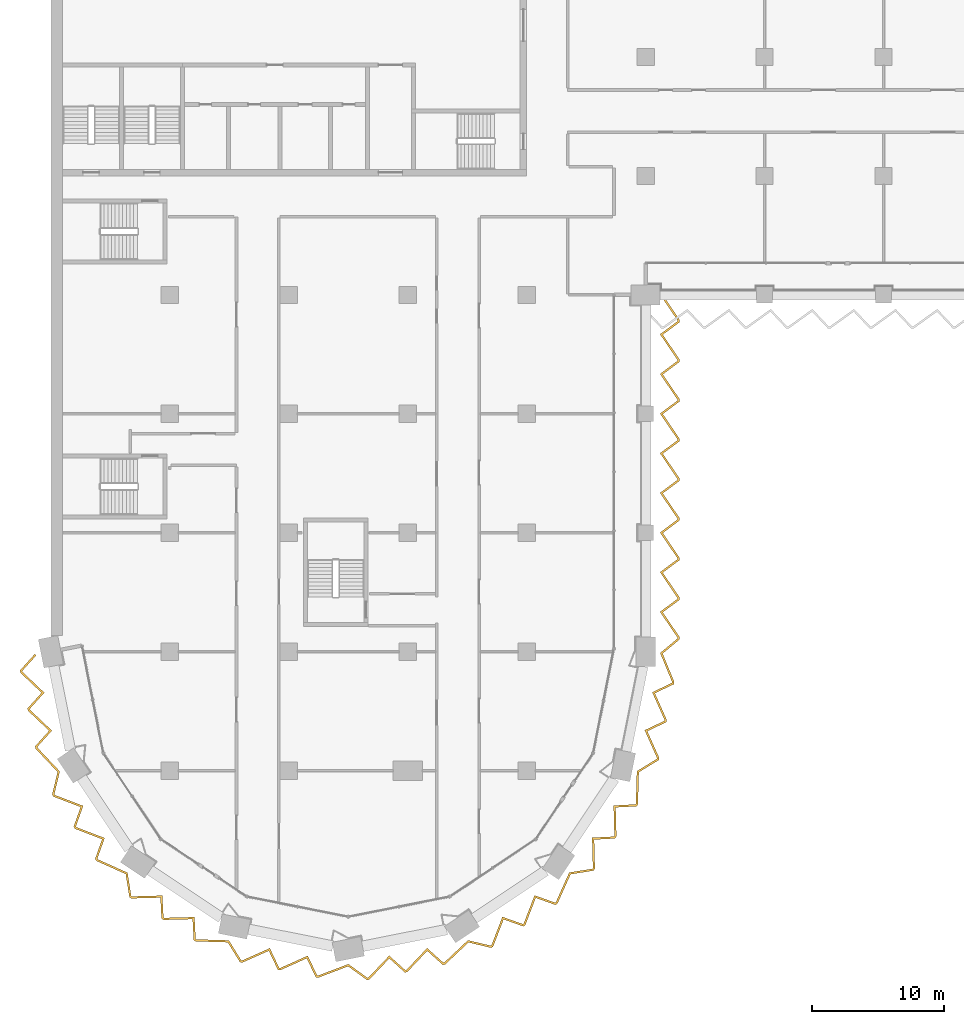
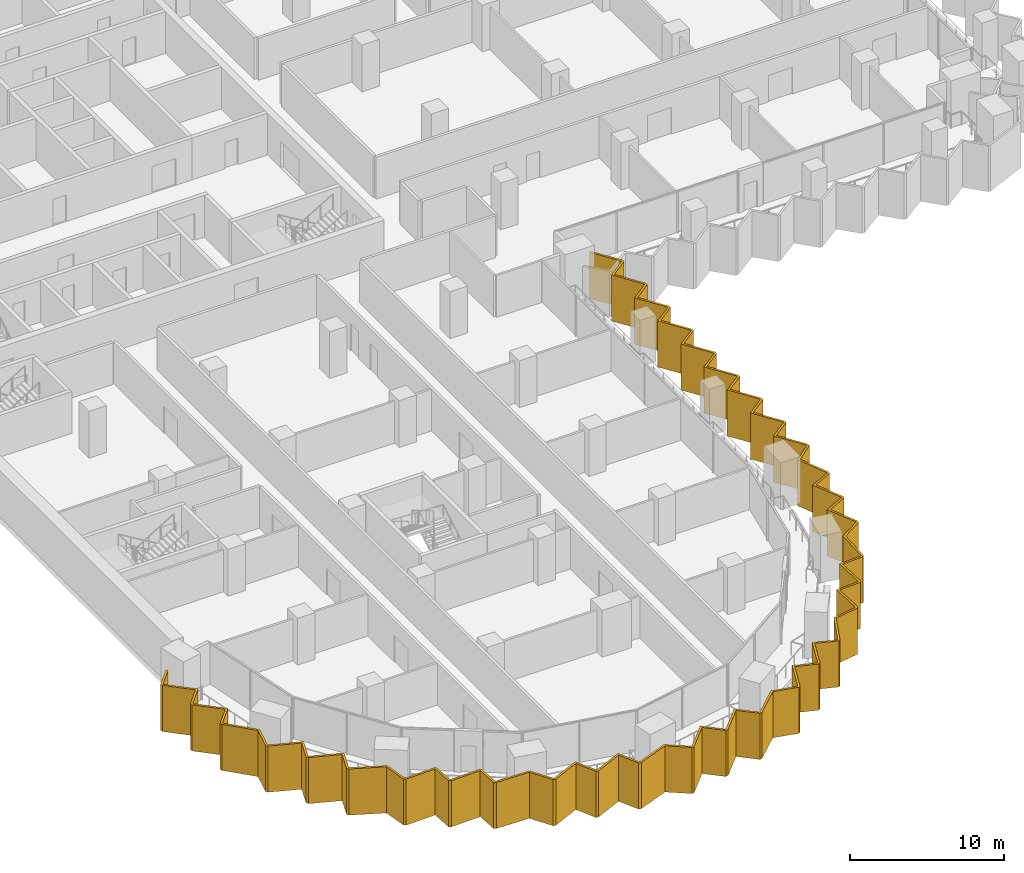
# One storey, part 18 of 22: 1 shading device.
"""IFC4 building model written with IfcOpenShell, lengths in metres."""

from ifc_helpers import new_model, si_unit, direction, frame, origin, place, context, subcontext, project, spatial, polyline, outline, extrude, material, layer, layer_set, type_object, element, save


model = new_model("IFC4")

# Units and contexts
model_context = context("Model", 3, precision=1e-05, world=origin(), true_north=direction((0.0, 1.0)))
body_context = subcontext(model_context, "Body", "Model", "MODEL_VIEW")
ifc_project = project(units=[si_unit("LENGTHUNIT", "METRE"), si_unit("AREAUNIT", "SQUARE_METRE"), si_unit("VOLUMEUNIT", "CUBIC_METRE"), si_unit("PLANEANGLEUNIT", "RADIAN"), si_unit("MASSUNIT", "GRAM", prefix="KILO")], contexts=[model_context])

# Site, building, storey
site_placement = place(None, origin())
site = spatial("IfcSite", under=ifc_project, at=site_placement, CompositionType="ELEMENT")
building_placement = place(site_placement, origin())
building = spatial("IfcBuilding", under=site, at=building_placement, Name="Hunhe Ridgeline Campus", CompositionType="ELEMENT")
storey_placement = place(building_placement, frame((0.0, 0.0, 118.10009765625)))
storey = spatial("IfcBuildingStorey", under=building, at=storey_placement, Name="L29", CompositionType="ELEMENT", Elevation=118.10009765625)

# Shading device
ifc_material = material(Name="Concrete C50", Category="concrete")
ifc_layer = layer(ifc_material, 0.14990234375)
ifc_layer_set = layer_set([ifc_layer], Name="Sawtooth concrete fin 150 Concrete C50")
shading_device_type = type_object("IfcShadingDeviceType", Name="Sawtooth concrete fin 150 Concrete C50", PredefinedType="USERDEFINED", material=ifc_layer_set)
shading_device_placement = place(storey_placement, frame((0.0, 0.0, -0.9501953125)))
element("IfcShadingDevice", 1, at=shading_device_placement, inside=storey, type_object=shading_device_type, Name="Concrete fin screen 1", ObjectType="FIN", PredefinedType="USERDEFINED", context=body_context, shape_type="SweptSolid", body=[
    extrude(outline(polyline([(-1.1103515625, 26.7177734375), (-1.2216796875, 26.818359375), (-2.3330078125, 25.587158203125), (-2.297607421875, 25.4091796875), (-0.69970703125, 23.893798828125), (-1.76220703125, 22.717041015625), (-1.726806640625, 22.5390625), (-0.12890625, 21.023681640625), (-1.191162109375, 19.846923828125), (-1.15625, 19.671142578125), (0.510498046875, 17.90380859375), (0.1005859375, 16.1875), (0.19873046875, 16.040771484375), (2.2548828125, 15.252197265625), (1.7236328125, 13.75830078125), (1.824462890625, 13.607421875), (3.880615234375, 12.81884765625), (3.349365234375, 11.3251953125), (3.448974609375, 11.17626953125), (5.665283203125, 10.18115234375), (5.943359375, 8.438720703125), (6.09033203125, 8.340576171875), (8.29150390625, 8.39892578125), (8.37255859375, 6.815673828125), (8.5234375, 6.71484375), (10.724853515625, 6.773193359375), (10.8056640625, 5.189697265625), (10.95458984375, 5.09033203125), (13.383056640625, 5.01904296875), (14.306884765625, 3.515625), (14.47998046875, 3.481201171875), (16.491455078125, 4.37744140625), (17.172119140625, 2.94580078125), (17.35009765625, 2.910400390625), (19.361572265625, 3.806640625), (20.042236328125, 2.374755859375), (20.218017578125, 2.33984375), (22.48876953125, 3.203369140625), (23.91748046875, 2.16796875), (24.0908203125, 2.202392578125), (25.606201171875, 3.80029296875), (26.782958984375, 2.73779296875), (26.9609375, 2.773193359375), (28.476318359375, 4.37109375), (29.653076171875, 3.308837890625), (29.828857421875, 3.34375), (31.59619140625, 5.010498046875), (33.3125, 4.6005859375), (33.459228515625, 4.69873046875), (34.247802734375, 6.7548828125), (35.74169921875, 6.2236328125), (35.892578125, 6.324462890625), (36.68115234375, 8.380615234375), (38.1748046875, 7.849365234375), (38.32373046875, 7.948974609375), (39.31884765625, 10.165283203125), (41.061279296875, 10.443359375), (41.159423828125, 10.59033203125), (41.10107421875, 12.79150390625), (42.684326171875, 12.87255859375), (42.78515625, 13.0234375), (42.726806640625, 15.224853515625), (44.310302734375, 15.3056640625), (44.40966796875, 15.45458984375), (44.48095703125, 17.883056640625), (45.984375, 18.806884765625), (46.018798828125, 18.97998046875), (45.12255859375, 20.991455078125), (46.55419921875, 21.672119140625), (46.589599609375, 21.85009765625), (45.693359375, 23.861572265625), (47.125244140625, 24.542236328125), (47.160400390625, 24.718994140625), (46.279052734375, 26.860595703125), (47.56396484375, 27.93310546875), (47.56396484375, 28.111083984375), (46.291259765625, 29.982666015625), (47.56396484375, 30.930419921875), (47.56396484375, 31.111083984375), (46.291259765625, 32.982666015625), (47.56396484375, 33.930419921875), (47.56396484375, 34.111083984375), (46.291259765625, 35.982666015625), (47.56396484375, 36.930419921875), (47.56396484375, 37.111083984375), (46.291259765625, 38.982666015625), (47.56396484375, 39.930419921875), (47.56396484375, 40.111083984375), (46.291259765625, 41.982666015625), (47.56396484375, 42.930419921875), (47.56396484375, 43.111083984375), (46.291259765625, 44.982666015625), (47.56396484375, 45.930419921875), (47.56396484375, 46.111083984375), (46.291259765625, 47.982666015625), (47.56396484375, 48.930419921875), (47.56396484375, 49.111083984375), (46.291259765625, 50.982666015625), (47.56396484375, 51.930419921875), (47.56396484375, 52.111083984375), (46.2509765625, 54.042236328125), (46.126953125, 53.957763671875), (47.413818359375, 52.06494140625), (47.413818359375, 52.005859375), (46.08642578125, 51.017333984375), (47.413818359375, 49.06494140625), (47.413818359375, 49.005859375), (46.08642578125, 48.017333984375), (47.413818359375, 46.06494140625), (47.413818359375, 46.005859375), (46.08642578125, 45.017333984375), (47.413818359375, 43.06494140625), (47.413818359375, 43.005859375), (46.08642578125, 42.017333984375), (47.413818359375, 40.06494140625), (47.413818359375, 40.005859375), (46.08642578125, 39.017333984375), (47.413818359375, 37.06494140625), (47.413818359375, 37.005859375), (46.08642578125, 36.017333984375), (47.413818359375, 34.06494140625), (47.413818359375, 34.005859375), (46.08642578125, 33.017333984375), (47.413818359375, 31.06494140625), (47.413818359375, 31.005859375), (46.08642578125, 30.017333984375), (47.413818359375, 28.06494140625), (47.413818359375, 28.003173828125), (46.0986328125, 26.9052734375), (47.00439453125, 24.703857421875), (46.99267578125, 24.6455078125), (45.496826171875, 23.934326171875), (46.433349609375, 21.832763671875), (46.421875, 21.775390625), (44.926025390625, 21.064208984375), (45.8623046875, 18.96240234375), (45.85009765625, 18.900390625), (44.33349609375, 17.968505859375), (44.260986328125, 15.502197265625), (44.227294921875, 15.45166015625), (42.572998046875, 15.3671875), (42.634033203125, 13.067138671875), (42.6015625, 13.0185546875), (40.947265625, 12.933837890625), (41.00830078125, 10.634033203125), (40.972900390625, 10.581298828125), (39.215087890625, 10.300537109375), (38.20458984375, 8.0498046875), (38.154052734375, 8.01611328125), (36.593505859375, 8.571044921875), (35.76953125, 6.422607421875), (35.720947265625, 6.39013671875), (34.16015625, 6.945068359375), (33.33642578125, 4.796875), (33.28369140625, 4.76171875), (31.55224609375, 5.17529296875), (29.75732421875, 3.482421875), (29.697509765625, 3.470458984375), (28.468017578125, 4.58056640625), (26.884765625, 2.9111328125), (26.827392578125, 2.899658203125), (25.597900390625, 4.009521484375), (24.0146484375, 2.340087890625), (23.95263671875, 2.327880859375), (22.51123046875, 3.372314453125), (20.205078125, 2.495361328125), (20.1455078125, 2.50732421875), (19.434326171875, 4.003173828125), (17.332763671875, 3.066650390625), (17.275390625, 3.078125), (16.564208984375, 4.573974609375), (14.46240234375, 3.6376953125), (14.400390625, 3.64990234375), (13.468505859375, 5.16650390625), (11.002197265625, 5.239013671875), (10.95166015625, 5.272705078125), (10.8671875, 6.927001953125), (8.567138671875, 6.865966796875), (8.5185546875, 6.8984375), (8.433837890625, 8.552734375), (6.134033203125, 8.49169921875), (6.081298828125, 8.527099609375), (5.800537109375, 10.284912109375), (3.5498046875, 11.29541015625), (3.51611328125, 11.345947265625), (4.071044921875, 12.906494140625), (1.922607421875, 13.73046875), (1.89013671875, 13.779052734375), (2.445068359375, 15.33984375), (0.296875, 16.16357421875), (0.26171875, 16.21630859375), (0.67529296875, 17.94775390625), (-1.017578125, 19.74267578125), (-1.029541015625, 19.802490234375), (0.08056640625, 21.031982421875), (-1.5888671875, 22.615234375), (-1.600341796875, 22.672607421875), (-0.490478515625, 23.902099609375), (-2.159912109375, 25.4853515625), (-2.171142578125, 25.542724609375), (-1.1103515625, 26.7177734375)])), origin(), (0.0, 0.0, 1.0), 3.650146484375),
])

save(model, "model.ifc")
